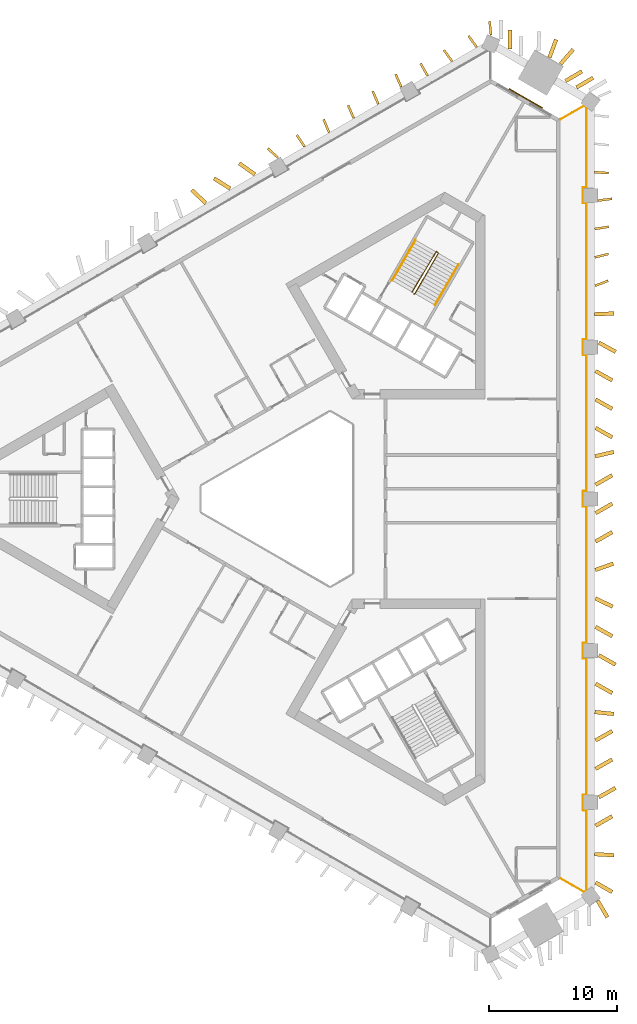
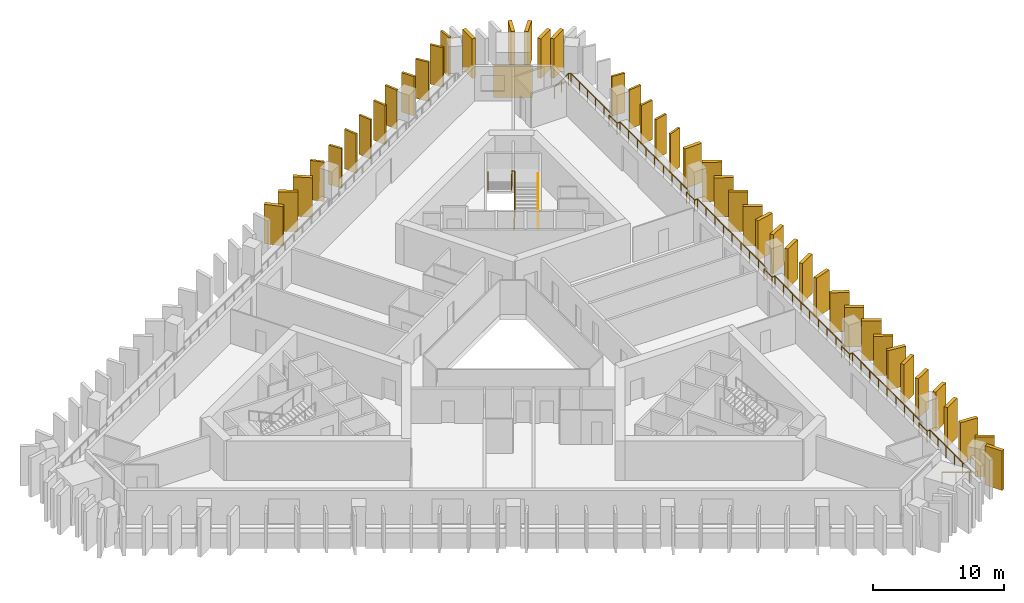
# One storey, part 10 of 11: 45 shading devices, 4 railings, 1 covering.
"""IFC4 building model written with IfcOpenShell, lengths in metres."""

from ifc_helpers import new_model, si_unit, direction, frame, frame_2d, origin, origin_2d, place, context, subcontext, project, spatial, rectangle, circle, extrude, material, layer, layer_set, type_object, element, save


model = new_model("IFC4")

# Units and contexts
model_context = context("Model", 3, precision=1e-05, world=origin(), true_north=direction((0.0, 1.0)))
body_context = subcontext(model_context, "Body", "Model", "MODEL_VIEW")
ifc_project = project(units=[si_unit("LENGTHUNIT", "METRE"), si_unit("AREAUNIT", "SQUARE_METRE"), si_unit("VOLUMEUNIT", "CUBIC_METRE"), si_unit("PLANEANGLEUNIT", "RADIAN"), si_unit("MASSUNIT", "GRAM", prefix="KILO")], contexts=[model_context])

# Site, building, storey
site_placement = place(None, origin())
site = spatial("IfcSite", under=ifc_project, at=site_placement, CompositionType="ELEMENT")
building_placement = place(site_placement, origin())
building = spatial("IfcBuilding", under=site, at=building_placement, Name="Jabali Bay Hotel Tower and Convention Centre", CompositionType="ELEMENT")
storey_placement = place(building_placement, frame((0.0, 0.0, 75.800048828125)))
storey = spatial("IfcBuildingStorey", under=building, at=storey_placement, Name="L17", CompositionType="ELEMENT", Elevation=75.800048828125)

# Railing
ifc_material_1 = material(Name="Glass", Category="glass")
railing_type_1 = type_object("IfcRailingType", Name="Loggia glass guard 1100", PredefinedType="BALUSTRADE", material=ifc_material_1)
railing_1_placement = place(storey_placement, frame((95.775390625, 109.640869140625, 0.0)))
element("IfcRailing", 1, at=railing_1_placement, inside=storey, type_object=railing_type_1, Name="Loggia glass guard L17", PredefinedType="BALUSTRADE", context=body_context, shape_type="SweptSolid", body=[
    extrude(circle(Radius=0.02490234375, at=origin_2d()), frame((0.0, 0.0, 1.0751953125), z_axis=(0.866006443985, 0.500032837899, 0.0), x_axis=(-0.495754987653, 0.858597638805, 0.13052619222)), (0.0, 0.0, 1.0), 2.110595703125),
    extrude(circle(Radius=0.02490234375, at=origin_2d()), frame((1.827880859375, 1.055419921875, 1.0751953125), z_axis=(0.801498175172, -0.597997220057, 0.0), x_axis=(0.592881270942, 0.794641247175, 0.13052619222)), (0.0, 0.0, 1.0), 0.21484375),
    extrude(circle(Radius=0.02490234375, at=origin_2d()), frame((2.0, 0.927001953125, 1.0751953125), z_axis=(0.0, -1.0, 0.0), x_axis=(0.991444861374, 0.0, 0.13052619222)), (0.0, 0.0, 1.0), 6.2646484375),
    extrude(circle(Radius=0.02490234375, at=origin_2d()), frame((2.0, -5.337646484375, 1.0751953125), z_axis=(-1.0, 0.0, 0.0), x_axis=(0.0, -0.991444861374, 0.13052619222)), (0.0, 0.0, 1.0), 0.25),
    extrude(circle(Radius=0.02490234375, at=origin_2d()), frame((1.75, -5.337646484375, 1.0751953125), z_axis=(0.0, -1.0, 0.0), x_axis=(0.991444861374, 0.0, 0.13052619222)), (0.0, 0.0, 1.0), 1.199951171875),
    extrude(circle(Radius=0.02490234375, at=origin_2d()), frame((1.75, -6.53759765625, 1.0751953125), z_axis=(1.0, 0.0, 0.0), x_axis=(0.0, 0.991444861374, 0.13052619222)), (0.0, 0.0, 1.0), 0.25),
    extrude(circle(Radius=0.02490234375, at=origin_2d()), frame((2.0, -6.53759765625, 1.0751953125), z_axis=(0.0, -1.0, 0.0), x_axis=(0.991444861374, 0.0, 0.13052619222)), (0.0, 0.0, 1.0), 10.651611328125),
    extrude(circle(Radius=0.02490234375, at=origin_2d()), frame((2.0, -17.189208984375, 1.0751953125), z_axis=(-1.0, 0.0, 0.0), x_axis=(0.0, -0.991444861374, 0.13052619222)), (0.0, 0.0, 1.0), 0.25),
    extrude(circle(Radius=0.02490234375, at=origin_2d()), frame((1.75, -17.189208984375, 1.0751953125), z_axis=(0.0, -1.0, 0.0), x_axis=(0.991444861374, 0.0, 0.13052619222)), (0.0, 0.0, 1.0), 1.199951171875),
    extrude(circle(Radius=0.02490234375, at=origin_2d()), frame((1.75, -18.38916015625, 1.0751953125), z_axis=(1.0, 0.0, 0.0), x_axis=(0.0, 0.991444861374, 0.13052619222)), (0.0, 0.0, 1.0), 0.25),
    extrude(circle(Radius=0.02490234375, at=origin_2d()), frame((2.0, -18.38916015625, 1.0751953125), z_axis=(0.0, -1.0, 0.0), x_axis=(0.991444861374, 0.0, 0.13052619222)), (0.0, 0.0, 1.0), 10.651611328125),
    extrude(circle(Radius=0.02490234375, at=origin_2d()), frame((2.0, -29.040771484375, 1.0751953125), z_axis=(-1.0, 0.0, 0.0), x_axis=(0.0, -0.991444861374, 0.13052619222)), (0.0, 0.0, 1.0), 0.25),
    extrude(circle(Radius=0.02490234375, at=origin_2d()), frame((1.75, -29.040771484375, 1.0751953125), z_axis=(0.0, -1.0, 0.0), x_axis=(0.991444861374, 0.0, 0.13052619222)), (0.0, 0.0, 1.0), 1.2001953125),
    extrude(circle(Radius=0.02490234375, at=origin_2d()), frame((1.75, -30.240966796875, 1.0751953125), z_axis=(1.0, 0.0, 0.0), x_axis=(0.0, 0.991444861374, 0.13052619222)), (0.0, 0.0, 1.0), 0.25),
    extrude(circle(Radius=0.02490234375, at=origin_2d()), frame((2.0, -30.240966796875, 1.0751953125), z_axis=(0.0, -1.0, 0.0), x_axis=(0.991444861374, 0.0, 0.13052619222)), (0.0, 0.0, 1.0), 10.651611328125),
    extrude(circle(Radius=0.02490234375, at=origin_2d()), frame((2.0, -40.892578125, 1.0751953125), z_axis=(-1.0, 0.0, 0.0), x_axis=(0.0, -0.991444861374, 0.13052619222)), (0.0, 0.0, 1.0), 0.25),
    extrude(circle(Radius=0.02490234375, at=origin_2d()), frame((1.75, -40.892578125, 1.0751953125), z_axis=(0.0, -1.0, 0.0), x_axis=(0.991444861374, 0.0, 0.13052619222)), (0.0, 0.0, 1.0), 1.199951171875),
    extrude(circle(Radius=0.02490234375, at=origin_2d()), frame((1.75, -42.092529296875, 1.0751953125), z_axis=(1.0, 0.0, 0.0), x_axis=(0.0, 0.991444861374, 0.13052619222)), (0.0, 0.0, 1.0), 0.25),
    extrude(circle(Radius=0.02490234375, at=origin_2d()), frame((2.0, -42.092529296875, 1.0751953125), z_axis=(0.0, -1.0, 0.0), x_axis=(0.991444861374, 0.0, 0.13052619222)), (0.0, 0.0, 1.0), 10.651611328125),
    extrude(circle(Radius=0.02490234375, at=origin_2d()), frame((2.0, -52.744140625, 1.0751953125), z_axis=(-1.0, 0.0, 0.0), x_axis=(0.0, -0.991444861374, 0.13052619222)), (0.0, 0.0, 1.0), 0.25),
    extrude(circle(Radius=0.02490234375, at=origin_2d()), frame((1.75, -52.744140625, 1.0751953125), z_axis=(0.0, -1.0, 0.0), x_axis=(0.991444861374, 0.0, 0.13052619222)), (0.0, 0.0, 1.0), 1.199951171875),
    extrude(circle(Radius=0.02490234375, at=origin_2d()), frame((1.75, -53.944091796875, 1.0751953125), z_axis=(1.0, 0.0, 0.0), x_axis=(0.0, 0.991444861374, 0.13052619222)), (0.0, 0.0, 1.0), 0.25),
    extrude(circle(Radius=0.02490234375, at=origin_2d()), frame((2.0, -53.944091796875, 1.0751953125), z_axis=(0.0, -1.0, 0.0), x_axis=(0.991444861374, 0.0, 0.13052619222)), (0.0, 0.0, 1.0), 6.2646484375),
    extrude(circle(Radius=0.02490234375, at=origin_2d()), frame((2.0, -60.208740234375, 1.0751953125), z_axis=(-0.801498175172, -0.597997220057, 0.0), x_axis=(0.592881270942, -0.794641247175, 0.13052619222)), (0.0, 0.0, 1.0), 0.21484375),
    extrude(circle(Radius=0.02490234375, at=origin_2d()), frame((1.827880859375, -60.337158203125, 1.0751953125), z_axis=(-0.866006443985, 0.500032837899, 0.0), x_axis=(-0.495754987653, -0.858597638805, 0.13052619222)), (0.0, 0.0, 1.0), 2.110595703125),
    extrude(circle(Radius=0.02001953125, at=origin_2d()), origin(), (0.0, 0.0, 1.0), 1.050048828125),
    extrude(circle(Radius=0.02001953125, at=origin_2d()), frame((0.9140625, 0.52783203125, 0.0)), (0.0, 0.0, 1.0), 1.050048828125),
    extrude(circle(Radius=0.02001953125, at=origin_2d()), frame((1.827880859375, 1.055419921875, 0.0)), (0.0, 0.0, 1.0), 1.050048828125),
    extrude(circle(Radius=0.02001953125, at=origin_2d()), frame((2.0, 0.927001953125, 0.0)), (0.0, 0.0, 1.0), 1.050048828125),
    extrude(circle(Radius=0.02001953125, at=origin_2d()), frame((2.0, -0.325927734375, 0.0)), (0.0, 0.0, 1.0), 1.050048828125),
    extrude(circle(Radius=0.02001953125, at=origin_2d()), frame((2.0, -1.578857421875, 0.0)), (0.0, 0.0, 1.0), 1.050048828125),
    extrude(circle(Radius=0.02001953125, at=origin_2d()), frame((2.0, -2.831787109375, 0.0)), (0.0, 0.0, 1.0), 1.050048828125),
    extrude(circle(Radius=0.02001953125, at=origin_2d()), frame((2.0, -4.084716796875, 0.0)), (0.0, 0.0, 1.0), 1.050048828125),
    extrude(circle(Radius=0.02001953125, at=origin_2d()), frame((2.0, -5.337646484375, 0.0)), (0.0, 0.0, 1.0), 1.050048828125),
    extrude(circle(Radius=0.02001953125, at=origin_2d()), frame((1.75, -5.337646484375, 0.0)), (0.0, 0.0, 1.0), 1.050048828125),
    extrude(circle(Radius=0.02001953125, at=origin_2d()), frame((1.75, -6.53759765625, 0.0)), (0.0, 0.0, 1.0), 1.050048828125),
    extrude(circle(Radius=0.02001953125, at=origin_2d()), frame((2.0, -6.53759765625, 0.0)), (0.0, 0.0, 1.0), 1.050048828125),
    extrude(circle(Radius=0.02001953125, at=origin_2d()), frame((2.0, -7.869140625, 0.0)), (0.0, 0.0, 1.0), 1.050048828125),
    extrude(circle(Radius=0.02001953125, at=origin_2d()), frame((2.0, -9.200439453125, 0.0)), (0.0, 0.0, 1.0), 1.050048828125),
    extrude(circle(Radius=0.02001953125, at=origin_2d()), frame((2.0, -10.531982421875, 0.0)), (0.0, 0.0, 1.0), 1.050048828125),
    extrude(circle(Radius=0.02001953125, at=origin_2d()), frame((2.0, -11.86328125, 0.0)), (0.0, 0.0, 1.0), 1.050048828125),
    extrude(circle(Radius=0.02001953125, at=origin_2d()), frame((2.0, -13.19482421875, 0.0)), (0.0, 0.0, 1.0), 1.050048828125),
    extrude(circle(Radius=0.02001953125, at=origin_2d()), frame((2.0, -14.5263671875, 0.0)), (0.0, 0.0, 1.0), 1.050048828125),
    extrude(circle(Radius=0.02001953125, at=origin_2d()), frame((2.0, -15.857666015625, 0.0)), (0.0, 0.0, 1.0), 1.050048828125),
    extrude(circle(Radius=0.02001953125, at=origin_2d()), frame((2.0, -17.189208984375, 0.0)), (0.0, 0.0, 1.0), 1.050048828125),
    extrude(circle(Radius=0.02001953125, at=origin_2d()), frame((1.75, -17.189208984375, 0.0)), (0.0, 0.0, 1.0), 1.050048828125),
    extrude(circle(Radius=0.02001953125, at=origin_2d()), frame((1.75, -18.38916015625, 0.0)), (0.0, 0.0, 1.0), 1.050048828125),
    extrude(circle(Radius=0.02001953125, at=origin_2d()), frame((2.0, -18.38916015625, 0.0)), (0.0, 0.0, 1.0), 1.050048828125),
    extrude(circle(Radius=0.02001953125, at=origin_2d()), frame((2.0, -19.720703125, 0.0)), (0.0, 0.0, 1.0), 1.050048828125),
    extrude(circle(Radius=0.02001953125, at=origin_2d()), frame((2.0, -21.052001953125, 0.0)), (0.0, 0.0, 1.0), 1.050048828125),
    extrude(circle(Radius=0.02001953125, at=origin_2d()), frame((2.0, -22.383544921875, 0.0)), (0.0, 0.0, 1.0), 1.050048828125),
    extrude(circle(Radius=0.02001953125, at=origin_2d()), frame((2.0, -23.71484375, 0.0)), (0.0, 0.0, 1.0), 1.050048828125),
    extrude(circle(Radius=0.02001953125, at=origin_2d()), frame((2.0, -25.04638671875, 0.0)), (0.0, 0.0, 1.0), 1.050048828125),
    extrude(circle(Radius=0.02001953125, at=origin_2d()), frame((2.0, -26.3779296875, 0.0)), (0.0, 0.0, 1.0), 1.050048828125),
    extrude(circle(Radius=0.02001953125, at=origin_2d()), frame((2.0, -27.709228515625, 0.0)), (0.0, 0.0, 1.0), 1.050048828125),
    extrude(circle(Radius=0.02001953125, at=origin_2d()), frame((2.0, -29.040771484375, 0.0)), (0.0, 0.0, 1.0), 1.050048828125),
    extrude(circle(Radius=0.02001953125, at=origin_2d()), frame((1.75, -29.040771484375, 0.0)), (0.0, 0.0, 1.0), 1.050048828125),
    extrude(circle(Radius=0.02001953125, at=origin_2d()), frame((1.75, -30.240966796875, 0.0)), (0.0, 0.0, 1.0), 1.050048828125),
    extrude(circle(Radius=0.02001953125, at=origin_2d()), frame((2.0, -30.240966796875, 0.0)), (0.0, 0.0, 1.0), 1.050048828125),
    extrude(circle(Radius=0.02001953125, at=origin_2d()), frame((2.0, -31.572509765625, 0.0)), (0.0, 0.0, 1.0), 1.050048828125),
    extrude(circle(Radius=0.02001953125, at=origin_2d()), frame((2.0, -32.90380859375, 0.0)), (0.0, 0.0, 1.0), 1.050048828125),
    extrude(circle(Radius=0.02001953125, at=origin_2d()), frame((2.0, -34.2353515625, 0.0)), (0.0, 0.0, 1.0), 1.050048828125),
    extrude(circle(Radius=0.02001953125, at=origin_2d()), frame((2.0, -35.56689453125, 0.0)), (0.0, 0.0, 1.0), 1.050048828125),
    extrude(circle(Radius=0.02001953125, at=origin_2d()), frame((2.0, -36.898193359375, 0.0)), (0.0, 0.0, 1.0), 1.050048828125),
    extrude(circle(Radius=0.02001953125, at=origin_2d()), frame((2.0, -38.229736328125, 0.0)), (0.0, 0.0, 1.0), 1.050048828125),
    extrude(circle(Radius=0.02001953125, at=origin_2d()), frame((2.0, -39.56103515625, 0.0)), (0.0, 0.0, 1.0), 1.050048828125),
    extrude(circle(Radius=0.02001953125, at=origin_2d()), frame((2.0, -40.892578125, 0.0)), (0.0, 0.0, 1.0), 1.050048828125),
    extrude(circle(Radius=0.02001953125, at=origin_2d()), frame((1.75, -40.892578125, 0.0)), (0.0, 0.0, 1.0), 1.050048828125),
    extrude(circle(Radius=0.02001953125, at=origin_2d()), frame((1.75, -42.092529296875, 0.0)), (0.0, 0.0, 1.0), 1.050048828125),
    extrude(circle(Radius=0.02001953125, at=origin_2d()), frame((2.0, -42.092529296875, 0.0)), (0.0, 0.0, 1.0), 1.050048828125),
    extrude(circle(Radius=0.02001953125, at=origin_2d()), frame((2.0, -43.424072265625, 0.0)), (0.0, 0.0, 1.0), 1.050048828125),
    extrude(circle(Radius=0.02001953125, at=origin_2d()), frame((2.0, -44.75537109375, 0.0)), (0.0, 0.0, 1.0), 1.050048828125),
    extrude(circle(Radius=0.02001953125, at=origin_2d()), frame((2.0, -46.0869140625, 0.0)), (0.0, 0.0, 1.0), 1.050048828125),
    extrude(circle(Radius=0.02001953125, at=origin_2d()), frame((2.0, -47.41845703125, 0.0)), (0.0, 0.0, 1.0), 1.050048828125),
    extrude(circle(Radius=0.02001953125, at=origin_2d()), frame((2.0, -48.749755859375, 0.0)), (0.0, 0.0, 1.0), 1.050048828125),
    extrude(circle(Radius=0.02001953125, at=origin_2d()), frame((2.0, -50.081298828125, 0.0)), (0.0, 0.0, 1.0), 1.050048828125),
    extrude(circle(Radius=0.02001953125, at=origin_2d()), frame((2.0, -51.41259765625, 0.0)), (0.0, 0.0, 1.0), 1.050048828125),
    extrude(circle(Radius=0.02001953125, at=origin_2d()), frame((2.0, -52.744140625, 0.0)), (0.0, 0.0, 1.0), 1.050048828125),
    extrude(circle(Radius=0.02001953125, at=origin_2d()), frame((1.75, -52.744140625, 0.0)), (0.0, 0.0, 1.0), 1.050048828125),
    extrude(circle(Radius=0.02001953125, at=origin_2d()), frame((1.75, -53.944091796875, 0.0)), (0.0, 0.0, 1.0), 1.050048828125),
    extrude(circle(Radius=0.02001953125, at=origin_2d()), frame((2.0, -53.944091796875, 0.0)), (0.0, 0.0, 1.0), 1.050048828125),
    extrude(circle(Radius=0.02001953125, at=origin_2d()), frame((2.0, -55.197021484375, 0.0)), (0.0, 0.0, 1.0), 1.050048828125),
    extrude(circle(Radius=0.02001953125, at=origin_2d()), frame((2.0, -56.449951171875, 0.0)), (0.0, 0.0, 1.0), 1.050048828125),
    extrude(circle(Radius=0.02001953125, at=origin_2d()), frame((2.0, -57.702880859375, 0.0)), (0.0, 0.0, 1.0), 1.050048828125),
    extrude(circle(Radius=0.02001953125, at=origin_2d()), frame((2.0, -58.955810546875, 0.0)), (0.0, 0.0, 1.0), 1.050048828125),
    extrude(circle(Radius=0.02001953125, at=origin_2d()), frame((2.0, -60.208740234375, 0.0)), (0.0, 0.0, 1.0), 1.050048828125),
    extrude(circle(Radius=0.02001953125, at=origin_2d()), frame((1.827880859375, -60.337158203125, 0.0)), (0.0, 0.0, 1.0), 1.050048828125),
    extrude(circle(Radius=0.02001953125, at=origin_2d()), frame((0.9140625, -59.8095703125, 0.0)), (0.0, 0.0, 1.0), 1.050048828125),
    extrude(circle(Radius=0.02001953125, at=origin_2d()), frame((0.0, -59.28173828125, 0.0)), (0.0, 0.0, 1.0), 1.050048828125),
])

# Shading devices
ifc_material_2 = material(Name="Precast concrete C60", Category="concrete")
ifc_layer_1 = layer(ifc_material_2, 0.179931640625)
ifc_layer_set_1 = layer_set([ifc_layer_1], Name="Precast concrete C60")
shading_device_type_1 = type_object("IfcShadingDeviceType", Name="Precast fin 3680 x 1100", PredefinedType="USERDEFINED", material=ifc_layer_set_1)
for number, where, z_axis, x_axis, name in (
    (2, (98.4501953125, 96.63671875, 0.010009765625), (0.0, 0.0, 1.0), (0.933042105834, 0.359767186859, 0.0), "Fin L17 021"),
    (3, (98.439697265625, 98.85498046875, 0.010009765625), (0.0, 0.0, 1.0), (0.96990704236, 0.243475520702, 0.0), "Fin L17 022"),
):
    element("IfcShadingDevice", number, at=place(storey_placement, frame(where, z_axis=z_axis, x_axis=x_axis)), inside=storey, type_object=shading_device_type_1, Name=name, ObjectType="FIN", PredefinedType="USERDEFINED", context=body_context, shape_type="SweptSolid", body=[
        extrude(rectangle(XDim=1.10009765625, YDim=0.179931640625, at=frame_2d((0.550048828125, 0.0))), origin(), (0.0, 0.0, 1.0), 3.679931640625),
    ])
shading_device_1_placement = place(storey_placement, frame((98.432373046875, 101.0732421875, 0.010009765625), z_axis=(0.0, 0.0, 1.0), x_axis=(0.98685785517, 0.161590759911, 0.0)))
element("IfcShadingDevice", 4, at=shading_device_1_placement, inside=storey, type_object=shading_device_type_1, Name="Fin L17 023", ObjectType="FIN", PredefinedType="USERDEFINED", context=body_context, shape_type="SweptSolid", body=[
    extrude(rectangle(XDim=1.099853515625, YDim=0.179931640625, at=frame_2d((0.5498046875, 0.0))), origin(), (0.0, 0.0, 1.0), 3.679931640625),
])
shading_device_2_placement = place(storey_placement, frame((98.6865234375, 103.29150390625, 0.010009765625), z_axis=(0.0, 0.0, 1.0), x_axis=(0.992106207708, 0.125400449073, 0.0)))
element("IfcShadingDevice", 5, at=shading_device_2_placement, inside=storey, type_object=shading_device_type_1, Name="Fin L17 024", ObjectType="FIN", PredefinedType="USERDEFINED", context=body_context, shape_type="SweptSolid", body=[
    extrude(rectangle(XDim=1.10009765625, YDim=0.179931640625, at=frame_2d((0.550048828125, 0.0))), origin(), (0.0, 0.0, 1.0), 3.679931640625),
])
for number, where, z_axis, x_axis, name in (
    (6, (98.423828125, 105.509765625, 0.010009765625), (0.0, 0.0, 1.0), (0.99767581211, -0.068139371372, 0.0), "Fin L17 025"),
    (7, (89.220703125, 115.26171875, 0.010009765625), (0.0, 0.0, 1.0), (-0.587102143786, 0.809512861394, 0.0), "Fin L17 037"),
    (8, (87.299560546875, 114.152587890625, 0.010009765625), (0.0, 0.0, 1.0), (-0.58735307867, 0.809330810594, 0.0), "Fin L17 038"),
    (9, (85.383056640625, 113.03564453125, 0.010009765625), (0.0, 0.0, 1.0), (-0.497453163495, 0.867490835761, 0.0), "Fin L17 039"),
    (10, (83.32861328125, 112.157470703125, 0.010009765625), (0.0, 0.0, 1.0), (-0.405541116983, 0.914076803358, 0.0), "Fin L17 040"),
):
    element("IfcShadingDevice", number, at=place(storey_placement, frame(where, z_axis=z_axis, x_axis=x_axis)), inside=storey, type_object=shading_device_type_1, Name=name, ObjectType="FIN", PredefinedType="USERDEFINED", context=body_context, shape_type="SweptSolid", body=[
        extrude(rectangle(XDim=1.099853515625, YDim=0.179931640625, at=frame_2d((0.5498046875, 0.0))), origin(), (0.0, 0.0, 1.0), 3.679931640625),
    ])
for number, where, z_axis, x_axis, name in (
    (11, (81.5361328125, 110.825439453125, 0.010009765625), (0.0, 0.0, 1.0), (-0.402366707365, 0.915478581292, 0.0), "Fin L17 041"),
    (12, (79.61474609375, 109.717041015625, 0.010009765625), (0.0, 0.0, 1.0), (-0.394615629049, 0.918846290361, 0.0), "Fin L17 042"),
):
    element("IfcShadingDevice", number, at=place(storey_placement, frame(where, z_axis=z_axis, x_axis=x_axis)), inside=storey, type_object=shading_device_type_1, Name=name, ObjectType="FIN", PredefinedType="USERDEFINED", context=body_context, shape_type="SweptSolid", body=[
        extrude(rectangle(XDim=1.10009765625, YDim=0.179931640625, at=frame_2d((0.550048828125, 0.0))), origin(), (0.0, 0.0, 1.0), 3.679931640625),
    ])
for number, where, z_axis, x_axis, name in (
    (13, (77.693359375, 108.6083984375, 0.010009765625), (0.0, 0.0, 1.0), (-0.388662230333, 0.921380307317, 0.0), "Fin L17 043"),
    (14, (75.775390625, 107.494384765625, 0.010009765625), (0.0, 0.0, 1.0), (-0.550904051268, 0.834568586933, 0.0), "Fin L17 044"),
):
    element("IfcShadingDevice", number, at=place(storey_placement, frame(where, z_axis=z_axis, x_axis=x_axis)), inside=storey, type_object=shading_device_type_1, Name=name, ObjectType="FIN", PredefinedType="USERDEFINED", context=body_context, shape_type="SweptSolid", body=[
        extrude(rectangle(XDim=1.099853515625, YDim=0.179931640625, at=frame_2d((0.5498046875, 0.0))), origin(), (0.0, 0.0, 1.0), 3.679931640625),
    ])
shading_device_3_placement = place(storey_placement, frame((73.71435546875, 106.62744140625, 0.010009765625), z_axis=(0.0, 0.0, 1.0), x_axis=(-0.741514746664, 0.67093656964, 0.0)))
element("IfcShadingDevice", 15, at=shading_device_3_placement, inside=storey, type_object=shading_device_type_1, Name="Fin L17 045", ObjectType="FIN", PredefinedType="USERDEFINED", context=body_context, shape_type="SweptSolid", body=[
    extrude(rectangle(XDim=1.10009765625, YDim=0.179931640625, at=frame_2d((0.550048828125, 0.0))), origin(), (0.0, 0.0, 1.0), 3.679931640625),
])
shading_device_4_placement = place(storey_placement, frame((90.33203125, 116.201416015625, 0.010009765625), z_axis=(0.0, 0.0, 1.0), x_axis=(-0.103656404482, 0.994613165914, 0.0)))
element("IfcShadingDevice", 16, at=shading_device_4_placement, inside=storey, type_object=shading_device_type_1, Name="Fin L17 113", ObjectType="FIN", PredefinedType="USERDEFINED", context=body_context, shape_type="SweptSolid", body=[
    extrude(rectangle(XDim=1.099853515625, YDim=0.179931640625, at=frame_2d((0.5498046875, 0.0))), origin(), (0.0, 0.0, 1.0), 3.679931640625),
])
ifc_layer_2 = layer(ifc_material_2, 0.300048828125)
ifc_layer_set_2 = layer_set([ifc_layer_2], Name="Precast concrete C60")
shading_device_type_2 = type_object("IfcShadingDeviceType", Name="Precast fin 3680 x 1500", PredefinedType="USERDEFINED", material=ifc_layer_set_2)
shading_device_5_placement = place(storey_placement, frame((98.49169921875, 50.0537109375, 0.010009765625), z_axis=(0.0, 0.0, 1.0), x_axis=(0.869870897648, -0.49327945571, 0.0)))
element("IfcShadingDevice", 17, at=shading_device_5_placement, inside=storey, type_object=shading_device_type_2, Name="Fin L17 000", ObjectType="FIN", PredefinedType="USERDEFINED", context=body_context, shape_type="SweptSolid", body=[
    extrude(rectangle(XDim=1.500244140625, YDim=0.300048828125, at=frame_2d((0.75, 0.0))), origin(), (0.0, 0.0, 1.0), 3.679931640625),
])
for number, where, z_axis, x_axis, name in (
    (18, (98.42626953125, 52.27197265625, 0.010009765625), (0.0, 0.0, 1.0), (0.99836682861, -0.057128587682, 0.0), "Fin L17 001"),
    (19, (98.49169921875, 54.490234375, 0.010009765625), (0.0, 0.0, 1.0), (0.869831289423, 0.493349296078, 0.0), "Fin L17 002"),
    (20, (98.749267578125, 56.70849609375, 0.010009765625), (0.0, 0.0, 1.0), (0.869831289423, 0.493349296078, 0.0), "Fin L17 003"),
    (21, (98.49169921875, 58.9267578125, 0.010009765625), (0.0, 0.0, 1.0), (0.869831289423, 0.493349296078, 0.0), "Fin L17 004"),
    (22, (98.49169921875, 61.14501953125, 0.010009765625), (0.0, 0.0, 1.0), (0.869831289423, 0.493349296078, 0.0), "Fin L17 005"),
    (23, (98.432861328125, 63.36328125, 0.010009765625), (0.0, 0.0, 1.0), (0.99496116144, -0.10026109528, 0.0), "Fin L17 006"),
    (24, (98.49169921875, 65.581298828125, 0.010009765625), (0.0, 0.0, 1.0), (0.869831289423, -0.493349296078, 0.0), "Fin L17 007"),
    (25, (98.749267578125, 67.799560546875, 0.010009765625), (0.0, 0.0, 1.0), (0.869831289423, -0.493349296078, 0.0), "Fin L17 008"),
    (26, (98.49169921875, 70.017822265625, 0.010009765625), (0.0, 0.0, 1.0), (0.869831289423, -0.493349296078, 0.0), "Fin L17 009"),
    (27, (98.48291015625, 72.236083984375, 0.010009765625), (0.0, 0.0, 1.0), (0.900874395772, -0.434079857909, 0.0), "Fin L17 010"),
    (28, (98.46728515625, 74.454345703125, 0.010009765625), (0.0, 0.0, 1.0), (0.943670434179, 0.330886856276, 0.0), "Fin L17 011"),
    (29, (98.49169921875, 76.672607421875, 0.010009765625), (0.0, 0.0, 1.0), (0.869831289423, 0.493349296078, 0.0), "Fin L17 012"),
    (30, (98.49169921875, 78.890869140625, 0.010009765625), (0.0, 0.0, 1.0), (0.869831289423, 0.493349296078, 0.0), "Fin L17 013"),
):
    element("IfcShadingDevice", number, at=place(storey_placement, frame(where, z_axis=z_axis, x_axis=x_axis)), inside=storey, type_object=shading_device_type_2, Name=name, ObjectType="FIN", PredefinedType="USERDEFINED", context=body_context, shape_type="SweptSolid", body=[
        extrude(rectangle(XDim=1.5, YDim=0.300048828125, at=frame_2d((0.75, 0.0))), origin(), (0.0, 0.0, 1.0), 3.679931640625),
    ])
for number, where, z_axis, x_axis, name in (
    (31, (98.49169921875, 81.109130859375, 0.010009765625), (0.0, 0.0, 1.0), (0.869870897648, 0.49327945571, 0.0), "Fin L17 014"),
    (32, (98.45166015625, 83.327392578125, 0.010009765625), (0.0, 0.0, 1.0), (0.974038913963, 0.22638063982, 0.0), "Fin L17 015"),
):
    element("IfcShadingDevice", number, at=place(storey_placement, frame(where, z_axis=z_axis, x_axis=x_axis)), inside=storey, type_object=shading_device_type_2, Name=name, ObjectType="FIN", PredefinedType="USERDEFINED", context=body_context, shape_type="SweptSolid", body=[
        extrude(rectangle(XDim=1.500244140625, YDim=0.300048828125, at=frame_2d((0.75, 0.0))), origin(), (0.0, 0.0, 1.0), 3.679931640625),
    ])
for number, where, z_axis, x_axis, name in (
    (33, (98.49169921875, 85.545654296875, 0.010009765625), (0.0, 0.0, 1.0), (0.870010549334, -0.493033106442, 0.0), "Fin L17 016"),
    (34, (98.49169921875, 87.763916015625, 0.010009765625), (0.0, 0.0, 1.0), (0.870477944406, -0.492207424062, 0.0), "Fin L17 017"),
    (35, (98.4912109375, 89.982177734375, 0.010009765625), (0.0, 0.0, 1.0), (0.872122712499, -0.489287210484, 0.0), "Fin L17 018"),
    (36, (98.7470703125, 92.200439453125, 0.010009765625), (0.0, 0.0, 1.0), (0.877976426564, -0.478703869211, 0.0), "Fin L17 019"),
    (37, (98.423828125, 94.418701171875, 0.010009765625), (0.0, 0.0, 1.0), (0.999204594654, 0.039877036275, 0.0), "Fin L17 020"),
    (38, (97.0068359375, 112.11767578125, 0.010009765625), (0.0, 0.0, 1.0), (0.862139163582, 0.506671552998, 0.0), "Fin L17 029"),
    (39, (96.140869140625, 112.61767578125, 0.010009765625), (0.0, 0.0, 1.0), (0.862139163582, 0.506671552998, 0.0), "Fin L17 030"),
    (40, (95.7587890625, 113.955322265625, 0.010009765625), (0.0, 0.0, 1.0), (0.657547685034, 0.753412929214, 0.0), "Fin L17 031"),
    (41, (94.890869140625, 114.451904296875, 0.010009765625), (0.0, 0.0, 1.0), (0.348803533386, 0.937195868054, 0.0), "Fin L17 032"),
    (42, (91.811279296875, 115.117431640625, 0.010009765625), (0.0, 0.0, 1.0), (0.007649515767, 0.999970742026, 0.0), "Fin L17 035"),
    (43, (71.905029296875, 105.324951171875, 0.010009765625), (0.0, 0.0, 1.0), (-0.812951961812, 0.582330754628, 0.0), "Fin L17 046"),
):
    element("IfcShadingDevice", number, at=place(storey_placement, frame(where, z_axis=z_axis, x_axis=x_axis)), inside=storey, type_object=shading_device_type_2, Name=name, ObjectType="FIN", PredefinedType="USERDEFINED", context=body_context, shape_type="SweptSolid", body=[
        extrude(rectangle(XDim=1.5, YDim=0.300048828125, at=frame_2d((0.75, 0.0))), origin(), (0.0, 0.0, 1.0), 3.679931640625),
    ])
for number, where, z_axis, x_axis, name in (
    (44, (69.979736328125, 104.222900390625, 0.010009765625), (0.0, 0.0, 1.0), (-0.846743375813, 0.532001555935, 0.0), "Fin L17 047"),
    (45, (68.07177734375, 103.09130859375, 0.010009765625), (0.0, 0.0, 1.0), (-0.732509406589, 0.680756909079, 0.0), "Fin L17 048"),
):
    element("IfcShadingDevice", number, at=place(storey_placement, frame(where, z_axis=z_axis, x_axis=x_axis)), inside=storey, type_object=shading_device_type_2, Name=name, ObjectType="FIN", PredefinedType="USERDEFINED", context=body_context, shape_type="SweptSolid", body=[
        extrude(rectangle(XDim=1.500244140625, YDim=0.300048828125, at=frame_2d((0.75, 0.0))), origin(), (0.0, 0.0, 1.0), 3.679931640625),
    ])
shading_device_6_placement = place(storey_placement, frame((98.6591796875, 48.636474609375, 0.010009765625), z_axis=(0.0, 0.0, 1.0), x_axis=(0.506550561218, -0.862210257959, 0.0)))
element("IfcShadingDevice", 46, at=shading_device_6_placement, inside=storey, type_object=shading_device_type_2, Name="Fin L17 111", ObjectType="FIN", PredefinedType="USERDEFINED", context=body_context, shape_type="SweptSolid", body=[
    extrude(rectangle(XDim=1.5, YDim=0.300048828125, at=frame_2d((0.75, 0.0))), origin(), (0.0, 0.0, 1.0), 3.679931640625),
])

# Covering
ifc_material_3 = material(Name="Precast concrete C40/50", Category="concrete")
ifc_layer_3 = layer(ifc_material_3, 0.080078125)
ifc_layer_set_3 = layer_set([ifc_layer_3], Name="Precast concrete C40/50")
covering_type = type_object("IfcCoveringType", Name="Relief panel 3000 x 3000", PredefinedType="CLADDING", material=ifc_layer_set_3)
covering_placement = place(storey_placement, frame((93.048828125, 111.26123046875, 0.099853515625), z_axis=(0.0, 0.0, 1.0), x_axis=(0.86602538147, -0.500000038649, 0.0)))
element("IfcCovering", 47, at=covering_placement, inside=storey, type_object=covering_type, Name="Relief panel L17", PredefinedType="CLADDING", context=body_context, shape_type="SweptSolid", body=[
    extrude(rectangle(XDim=3.0, YDim=0.080078125, at=origin_2d()), origin(), (0.0, 0.0, 1.0), 3.0),
])

# Railings
ifc_material_4 = material(Name="Steel Q355B", Category="steel")
railing_type_2 = type_object("IfcRailingType", Name="Stair guard 1100", PredefinedType="GUARDRAIL", material=ifc_material_4)
railing_2_placement = place(storey_placement, frame((84.329833984375, 96.010009765625, 0.0)))
element("IfcRailing", 48, at=railing_2_placement, inside=storey, type_object=railing_type_2, Name="L17 ST2 stair guard 1", PredefinedType="GUARDRAIL", context=body_context, shape_type="SweptSolid", body=[
    extrude(circle(Radius=0.02392578125, at=origin_2d()), frame((0.0, 0.0, 1.076171875), z_axis=(0.456201556387, 0.122196845461, 0.881446578591), x_axis=(-0.258736085224, 0.965948051503, 0.0)), (0.0, 0.0, 1.0), 0.14990234375),
    extrude(circle(Radius=0.02392578125, at=origin_2d()), frame((0.068359375, 0.018310546875, 1.2080078125), z_axis=(0.452190331055, 0.783190014029, 0.426775475427), x_axis=(-0.866018046521, 0.500012742938, 0.0)), (0.0, 0.0, 1.0), 4.02490234375),
    extrude(circle(Radius=0.02392578125, at=origin_2d()), frame((1.888427734375, 3.170654296875, 2.92578125), z_axis=(-0.718850276695, 0.695164929852, 0.0), x_axis=(-0.695164929852, -0.718850276695, 0.0)), (0.0, 0.0, 1.0), 0.2060546875),
    extrude(circle(Radius=0.02392578125, at=origin_2d()), frame((1.740234375, 3.31396484375, 2.92578125), z_axis=(-0.457445338502, -0.768046879266, 0.448160410493), x_axis=(0.859157857954, -0.511710636118, 0.0)), (0.0, 0.0, 1.0), 4.128173828125),
    extrude(circle(Radius=0.02099609375, at=origin_2d()), origin(), (0.0, 0.0, 1.0), 1.052001953125),
    extrude(circle(Radius=0.02099609375, at=origin_2d()), frame((0.068359375, 0.018310546875, 0.132080078125)), (0.0, 0.0, 1.0), 1.052001953125),
    extrude(circle(Radius=0.02099609375, at=origin_2d()), frame((0.5234375, 0.806396484375, 0.5615234375)), (0.0, 0.0, 1.0), 1.052001953125),
    extrude(circle(Radius=0.02099609375, at=origin_2d()), frame((0.978515625, 1.594482421875, 0.990966796875)), (0.0, 0.0, 1.0), 1.052001953125),
    extrude(circle(Radius=0.02099609375, at=origin_2d()), frame((1.433349609375, 2.382568359375, 1.42041015625)), (0.0, 0.0, 1.0), 1.052001953125),
    extrude(circle(Radius=0.02099609375, at=origin_2d()), frame((1.888427734375, 3.170654296875, 1.849853515625)), (0.0, 0.0, 1.0), 1.052001953125),
    extrude(circle(Radius=0.02099609375, at=origin_2d()), frame((1.740234375, 3.31396484375, 1.849853515625)), (0.0, 0.0, 1.0), 1.052001953125),
    extrude(circle(Radius=0.02099609375, at=origin_2d()), frame((1.26806640625, 2.521240234375, 2.3125)), (0.0, 0.0, 1.0), 1.052001953125),
    extrude(circle(Radius=0.02099609375, at=origin_2d()), frame((0.7958984375, 1.728515625, 2.77490234375)), (0.0, 0.0, 1.0), 1.052001953125),
    extrude(circle(Radius=0.02099609375, at=origin_2d()), frame((0.323974609375, 0.93603515625, 3.2373046875)), (0.0, 0.0, 1.0), 1.052001953125),
    extrude(circle(Radius=0.02099609375, at=origin_2d()), frame((-0.148193359375, 0.143310546875, 3.699951171875)), (0.0, 0.0, 1.0), 1.052001953125),
])
railing_type_3 = type_object("IfcRailingType", Name="Stair handrail 900", PredefinedType="HANDRAIL", material=ifc_material_4)
railing_3_placement = place(storey_placement, frame((85.95703125, 95.128173828125, 0.132080078125)))
element("IfcRailing", 49, at=railing_3_placement, inside=storey, type_object=railing_type_3, Name="L17 ST2 stair handrail 1", PredefinedType="HANDRAIL", context=body_context, shape_type="SweptSolid", body=[
    extrude(circle(Radius=0.02392578125, at=origin_2d()), frame((0.0, 0.0, 0.8759765625), z_axis=(0.452190331055, 0.783190014029, 0.426775475427), x_axis=(-0.866018046521, 0.500012742938, 0.0)), (0.0, 0.0, 1.0), 4.02490234375),
    extrude(circle(Radius=0.02099609375, at=origin_2d()), origin(), (0.0, 0.0, 1.0), 0.851806640625),
    extrude(circle(Radius=0.02099609375, at=origin_2d()), frame((0.455078125, 0.7880859375, 0.429443359375)), (0.0, 0.0, 1.0), 0.851806640625),
    extrude(circle(Radius=0.02099609375, at=origin_2d()), frame((0.91015625, 1.576171875, 0.85888671875)), (0.0, 0.0, 1.0), 0.851806640625),
    extrude(circle(Radius=0.02099609375, at=origin_2d()), frame((1.364990234375, 2.3642578125, 1.288330078125)), (0.0, 0.0, 1.0), 0.851806640625),
    extrude(circle(Radius=0.02099609375, at=origin_2d()), frame((1.820068359375, 3.15234375, 1.7177734375)), (0.0, 0.0, 1.0), 0.851806640625),
])
railing_4_placement = place(storey_placement, frame((84.44287109375, 100.20556640625, 1.982177734375)))
element("IfcRailing", 50, at=railing_4_placement, inside=storey, type_object=railing_type_3, Name="L17 ST2 stair handrail 2", PredefinedType="HANDRAIL", context=body_context, shape_type="SweptSolid", body=[
    extrude(circle(Radius=0.02392578125, at=origin_2d()), frame((0.0, 0.0, 0.8759765625), z_axis=(-0.452190331055, -0.783190014029, 0.426775475427), x_axis=(0.866018046521, -0.500012742938, 0.0)), (0.0, 0.0, 1.0), 4.02490234375),
    extrude(circle(Radius=0.02099609375, at=origin_2d()), origin(), (0.0, 0.0, 1.0), 0.851806640625),
    extrude(circle(Radius=0.02099609375, at=origin_2d()), frame((-0.455078125, -0.7880859375, 0.429443359375)), (0.0, 0.0, 1.0), 0.851806640625),
    extrude(circle(Radius=0.02099609375, at=origin_2d()), frame((-0.91015625, -1.576171875, 0.85888671875)), (0.0, 0.0, 1.0), 0.851806640625),
    extrude(circle(Radius=0.02099609375, at=origin_2d()), frame((-1.364990234375, -2.3642578125, 1.288330078125)), (0.0, 0.0, 1.0), 0.851806640625),
    extrude(circle(Radius=0.02099609375, at=origin_2d()), frame((-1.820068359375, -3.15234375, 1.7177734375)), (0.0, 0.0, 1.0), 0.851806640625),
])

save(model, "model.ifc")
